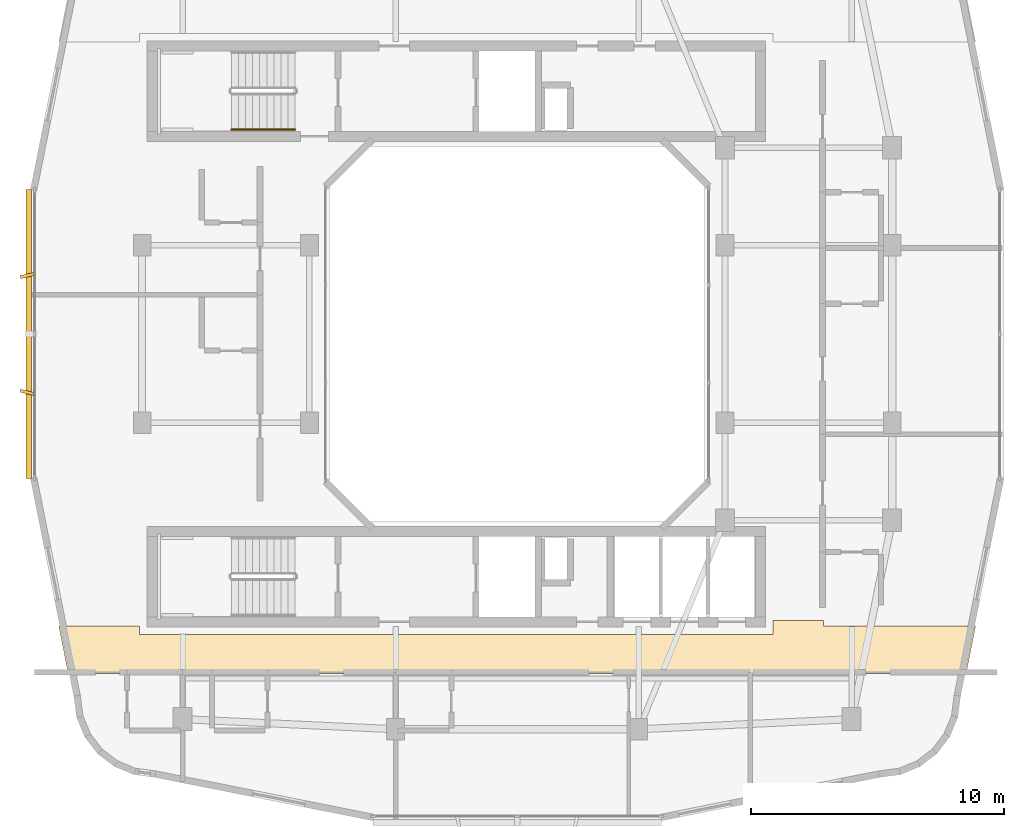
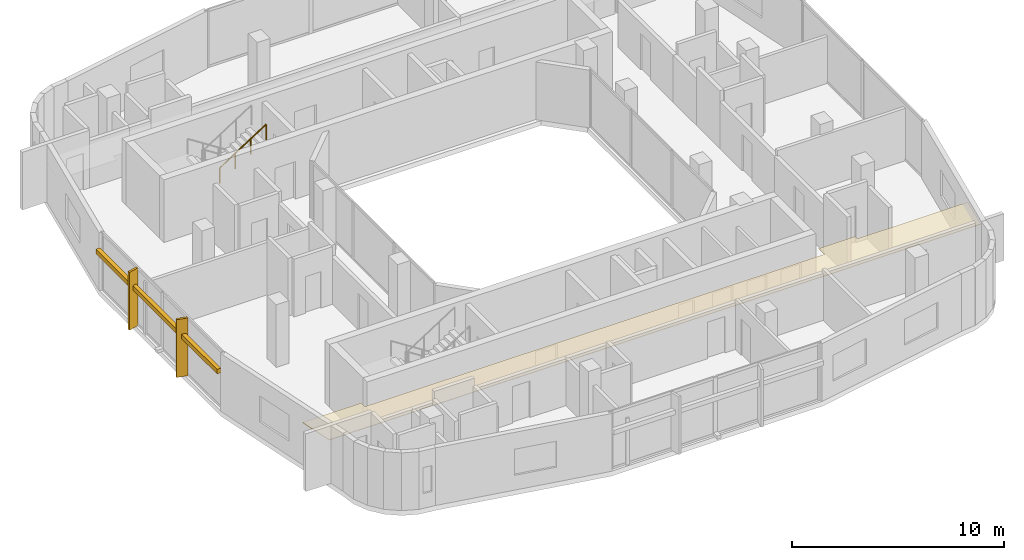
# One storey, part 12 of 14: 3 shading devices, 1 covering, 1 railing.
"""IFC4 building model written with IfcOpenShell, lengths in metres."""

from ifc_helpers import new_model, si_unit, derived_unit, direction, frame, origin, origin_2d, place, context, subcontext, project, spatial, polyline, rectangle, circle, outline, extrude, material, layer, layer_set, type_object, element, save


model = new_model("IFC4")

# Units and contexts
model_context = context("Model", 3, precision=1e-05, world=origin(), true_north=direction((0.0, 1.0)))
body_context = subcontext(model_context, "Body", "Model", "MODEL_VIEW")
ifc_project = project(units=[si_unit("LENGTHUNIT", "METRE"), si_unit("AREAUNIT", "SQUARE_METRE"), si_unit("VOLUMEUNIT", "CUBIC_METRE"), si_unit("PLANEANGLEUNIT", "RADIAN"), si_unit("MASSUNIT", "GRAM", prefix="KILO"), derived_unit("THERMALTRANSMITTANCEUNIT", [(si_unit("POWERUNIT", "WATT"), 1), (si_unit("LENGTHUNIT", "METRE"), -2), (si_unit("THERMODYNAMICTEMPERATUREUNIT", "KELVIN"), -1)])], contexts=[model_context])

# Site, building, storey
site_placement = place(None, origin())
site = spatial("IfcSite", under=ifc_project, at=site_placement, CompositionType="ELEMENT")
building_placement = place(site_placement, origin())
building = spatial("IfcBuilding", under=site, at=building_placement, Name="Kivonza Crest Hotel", CompositionType="ELEMENT")
storey_placement = place(building_placement, frame((0.0, 0.0, 206.300048828125)))
storey = spatial("IfcBuildingStorey", under=building, at=storey_placement, Name="L56", CompositionType="ELEMENT", Elevation=206.300048828125)

# Covering
ifc_material_1 = material(Name="Moisture-resistant gypsum plasterboard ceiling", Category="gypsum")
ifc_layer = layer(ifc_material_1, 0.030029296875)
ifc_layer_set = layer_set([ifc_layer], Name="Moisture-resistant gypsum plasterboard ceiling")
covering_type = type_object("IfcCoveringType", Name="CV-CEIL-GYP", PredefinedType="CEILING", material=ifc_layer_set)
covering_placement = place(storey_placement, frame((0.0, 0.0, 2.449951171875)))
element("IfcCovering", 1, at=covering_placement, inside=storey, type_object=covering_type, Name="L56 Hotel South Guest Corridor suspended ceiling", PredefinedType="CEILING", context=body_context, shape_type="SweptSolid", body=[
    extrude(outline(polyline([(33.090087890625, 13.47998046875), (33.090087890625, 13.68994140625), (31.10009765625, 13.68994140625), (31.10009765625, 13.139892578125), (6.10009765625, 13.139892578125), (6.10009765625, 13.47998046875), (2.906005859375, 13.47998046875), (3.278076171875, 11.610107421875), (38.721923828125, 11.610107421875), (39.093994140625, 13.47998046875), (33.090087890625, 13.47998046875)])), origin(), (0.0, 0.0, 1.0), 0.030029296875),
])

# Railing
ifc_material_2 = material(Name="Brushed stainless steel handrail", Category="steel")
railing_type = type_object("IfcRailingType", Name="RL-HAND-900", PredefinedType="HANDRAIL", material=ifc_material_2)
railing_placement = place(storey_placement, frame((9.719970703125, 33.070068359375, 1.97998046875)))
element("IfcRailing", 2, at=railing_placement, inside=storey, type_object=railing_type, Name="L56 ST-T1-N stair handrail 2", PredefinedType="HANDRAIL", context=body_context, shape_type="SweptSolid", body=[
    extrude(circle(Radius=0.02392578125, at=origin_2d()), frame((0.0, 0.0, 0.8759765625), z_axis=(0.841199657755, 0.0, 0.540724639528), x_axis=(0.0, 1.0, 0.0)), (0.0, 0.0, 1.0), 2.995849609375),
    extrude(circle(Radius=0.02099609375, at=origin_2d()), origin(), (0.0, 0.0, 1.0), 0.851806640625),
    extrude(circle(Radius=0.02099609375, at=origin_2d()), frame((0.840087890625, 0.0, 0.5400390625)), (0.0, 0.0, 1.0), 0.851806640625),
    extrude(circle(Radius=0.02099609375, at=origin_2d()), frame((1.679931640625, 0.0, 1.079833984375)), (0.0, 0.0, 1.0), 0.851806640625),
    extrude(circle(Radius=0.02099609375, at=origin_2d()), frame((2.52001953125, 0.0, 1.619873046875)), (0.0, 0.0, 1.0), 0.851806640625),
])

# Shading devices
ifc_material_3 = material(Name="Kiln-fired Nairobi red-ochre terracotta", Category="masonry")
shading_device_type_1 = type_object("IfcShadingDeviceType", Name="SH-BAGUETTE-300", PredefinedType="USERDEFINED", material=ifc_material_3)
shading_device_placement = place(storey_placement, frame((1.719970703125, 25.0, 2.19384765625), z_axis=(0.0, 0.0, 1.0), x_axis=(0.0, -1.0, 0.0)))
element("IfcShadingDevice", 3, at=shading_device_placement, inside=storey, type_object=shading_device_type_1, Name="L56 terracotta baguette screen CW-T1-L56-35", ObjectType="BAGUETTE", PredefinedType="USERDEFINED", context=body_context, shape_type="SweptSolid", body=[
    extrude(rectangle(XDim=11.39990234375, YDim=0.219970703125, at=origin_2d()), origin(), (0.0, 0.0, 1.0), 0.260009765625),
])
ifc_material_4 = material(Name="Kiln-fired terracotta over extruded aluminium spine", Category="masonry")
shading_device_type_2 = type_object("IfcShadingDeviceType", Name="SH-FIN-550", PredefinedType="USERDEFINED", material=ifc_material_4)
for number, where, z_axis, x_axis, name in (
    (4, (1.659912109375, 27.303955078125, 0.0), (0.0, 0.0, 1.0), (0.2419218956, -0.970295726276, 0.0), "L56 vertical solar shading fin CW-T1-L56-35-1"),
    (5, (1.659912109375, 22.696044921875, 0.0), (0.0, 0.0, 1.0), (-0.2419218956, -0.970295726276, 0.0), "L56 vertical solar shading fin CW-T1-L56-35-2"),
):
    element("IfcShadingDevice", number, at=place(storey_placement, frame(where, z_axis=z_axis, x_axis=x_axis)), inside=storey, type_object=shading_device_type_2, Name=name, ObjectType="FIN", PredefinedType="USERDEFINED", context=body_context, shape_type="SweptSolid", body=[
        extrude(rectangle(XDim=0.1201171875, YDim=0.550048828125, at=origin_2d()), origin(), (0.0, 0.0, 1.0), 3.320068359375),
    ])

save(model, "model.ifc")
